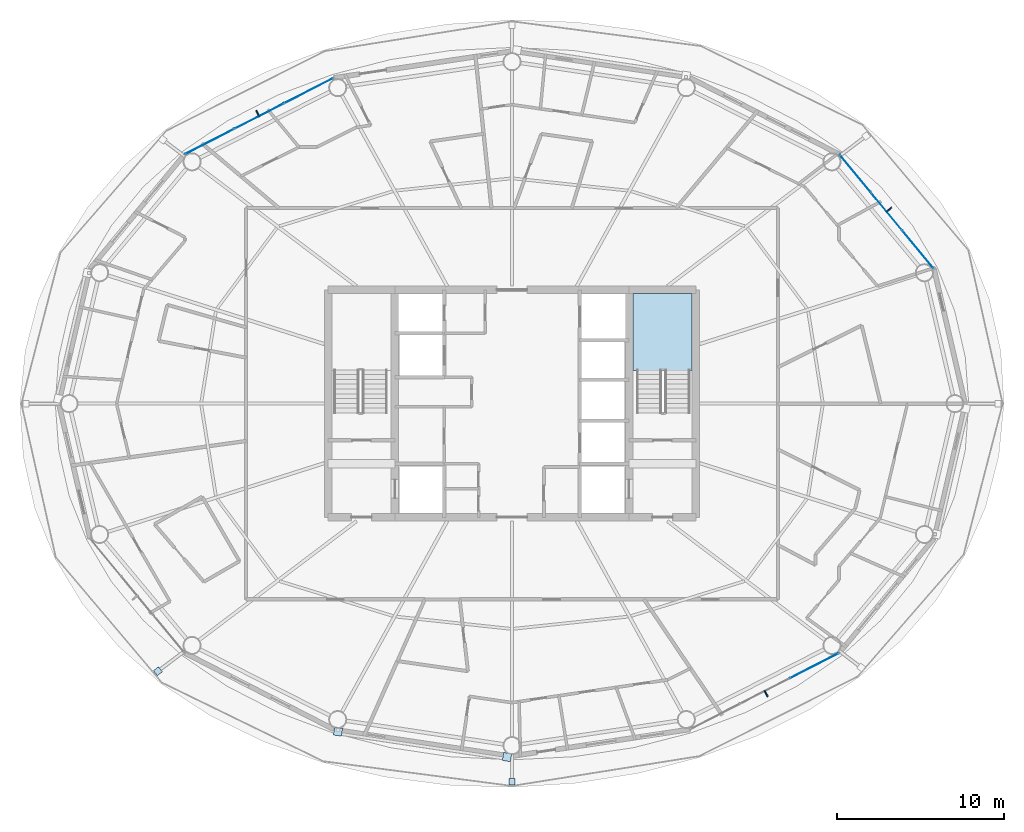
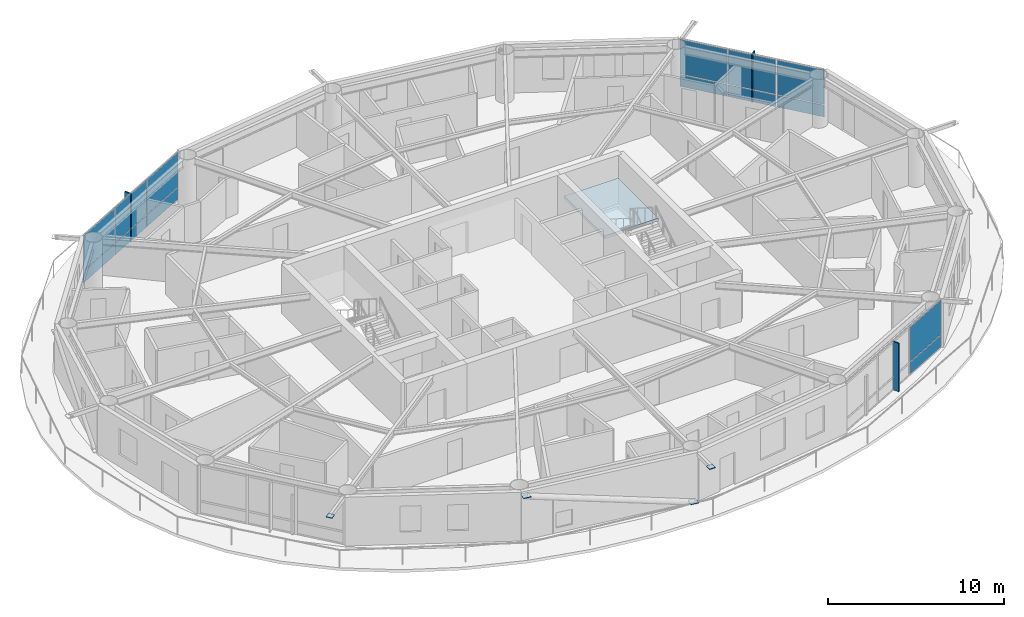
# One storey, part 18 of 28: 21 plates, 1 slab, 4 elements without a shape of their own.
"""IFC4 building model written with IfcOpenShell, lengths in metres."""

from ifc_helpers import new_model, si_unit, direction, frame, origin, origin_2d, place, context, subcontext, project, spatial, polyline, rectangle, outline, extrude, material, layer, layer_set, type_object, element, aggregate, save


model = new_model("IFC4")

# Units and contexts
model_context = context("Model", 3, precision=1e-05, world=origin(), true_north=direction((0.0, 1.0)))
body_context = subcontext(model_context, "Body", "Model", "MODEL_VIEW")
ifc_project = project(units=[si_unit("LENGTHUNIT", "METRE"), si_unit("AREAUNIT", "SQUARE_METRE"), si_unit("VOLUMEUNIT", "CUBIC_METRE"), si_unit("PLANEANGLEUNIT", "RADIAN"), si_unit("MASSUNIT", "GRAM", prefix="KILO")], contexts=[model_context])

# Site, building, storey
site_placement = place(None, origin())
site = spatial("IfcSite", under=ifc_project, at=site_placement, CompositionType="ELEMENT")
building_placement = place(site_placement, origin())
building = spatial("IfcBuilding", under=site, at=building_placement, Name="Sarneth Arch Tower", CompositionType="ELEMENT")
storey_placement = place(building_placement, frame((0.0, 0.0, 172.199951171875)))
storey = spatial("IfcBuildingStorey", under=building, at=storey_placement, Name="L43", CompositionType="ELEMENT", Elevation=172.199951171875)

# Curtain wall, plates
ifc_material_1 = material(Name="Anodised aluminium Type AA25 and solar-control low-e laminated IGU", Category="aluminium")
ifc_layer_1 = layer(ifc_material_1, 0.169921875)
ifc_layer_set_1 = layer_set([ifc_layer_1], Name="Anodised aluminium Type AA25 and solar-control low-e laminated IGU")
curtain_wall_type = type_object("IfcCurtainWallType", Name="CW-RES-MID", PredefinedType="NOTDEFINED", material=ifc_layer_set_1)
curtain_wall_1_placement = place(storey_placement, origin())
curtain_wall_1 = element("IfcCurtainWall", 1, at=curtain_wall_1_placement, inside=storey, type_object=curtain_wall_type, Name="L43 Unitised curtain wall facet 02", PredefinedType="NOTDEFINED")
ifc_material_2 = material(Name="Solar-control low-e laminated IGU", Category="glass")
ifc_layer_2 = layer(ifc_material_2, 0.028076171875)
ifc_layer_set_2 = layer_set([ifc_layer_2], Name="Solar-control low-e laminated IGU")
plate_type_1 = type_object("IfcPlateType", Name="CW-PANEL", PredefinedType="CURTAIN_PANEL", material=ifc_layer_set_2)
plate_1_placement = place(storey_placement, frame((72.280029296875, 51.21826171875, 0.06005859375), z_axis=(0.0, 0.0, 1.0), x_axis=(-0.637330298558, 0.770590741276, 0.0)))
plate_1 = element("IfcPlate", 2, at=plate_1_placement, type_object=plate_type_1, Name="Curtain wall glazed vision pane CW-L43-F02/P00-00", PredefinedType="CURTAIN_PANEL", context=body_context, shape_type="SweptSolid", body=[
    extrude(rectangle(XDim=2.8681640625, YDim=0.028076171875, at=origin_2d()), origin(), (0.0, 0.0, 1.0), 0.81005859375),
])
plate_2_placement = place(storey_placement, frame((72.280029296875, 51.21826171875, 0.93017578125), z_axis=(0.0, 0.0, 1.0), x_axis=(-0.637330298558, 0.770590741276, 0.0)))
plate_2 = element("IfcPlate", 3, at=plate_2_placement, type_object=plate_type_1, Name="Curtain wall glazed vision pane CW-L43-F02/P00-01", PredefinedType="CURTAIN_PANEL", context=body_context, shape_type="SweptSolid", body=[
    extrude(rectangle(XDim=2.8681640625, YDim=0.028076171875, at=origin_2d()), origin(), (0.0, 0.0, 1.0), 2.389892578125),
])
plate_3_placement = place(storey_placement, frame((70.404296875, 53.486328125, 0.06005859375), z_axis=(0.0, 0.0, 1.0), x_axis=(-0.637330298558, 0.770590741276, 0.0)))
plate_3 = element("IfcPlate", 4, at=plate_3_placement, type_object=plate_type_1, Name="Curtain wall glazed vision pane CW-L43-F02/P01-00", PredefinedType="CURTAIN_PANEL", context=body_context, shape_type="SweptSolid", body=[
    extrude(rectangle(XDim=2.898193359375, YDim=0.028076171875, at=origin_2d()), origin(), (0.0, 0.0, 1.0), 0.81005859375),
])
plate_4_placement = place(storey_placement, frame((70.404296875, 53.486328125, 0.93017578125), z_axis=(0.0, 0.0, 1.0), x_axis=(-0.637330298558, 0.770590741276, 0.0)))
plate_4 = element("IfcPlate", 5, at=plate_4_placement, type_object=plate_type_1, Name="Curtain wall glazed vision pane CW-L43-F02/P01-01", PredefinedType="CURTAIN_PANEL", context=body_context, shape_type="SweptSolid", body=[
    extrude(rectangle(XDim=2.898193359375, YDim=0.028076171875, at=origin_2d()), origin(), (0.0, 0.0, 1.0), 2.389892578125),
])
plate_5_placement = place(storey_placement, frame((68.5283203125, 55.75439453125, 0.06005859375), z_axis=(0.0, 0.0, 1.0), x_axis=(-0.637330298558, 0.770590741276, 0.0)))
plate_5 = element("IfcPlate", 6, at=plate_5_placement, type_object=plate_type_1, Name="Curtain wall glazed vision pane CW-L43-F02/P02-00", PredefinedType="CURTAIN_PANEL", context=body_context, shape_type="SweptSolid", body=[
    extrude(rectangle(XDim=2.8681640625, YDim=0.028076171875, at=origin_2d()), origin(), (0.0, 0.0, 1.0), 0.81005859375),
])
plate_6_placement = place(storey_placement, frame((68.5283203125, 55.75439453125, 0.93017578125), z_axis=(0.0, 0.0, 1.0), x_axis=(-0.637330298558, 0.770590741276, 0.0)))
plate_6 = element("IfcPlate", 7, at=plate_6_placement, type_object=plate_type_1, Name="Curtain wall glazed vision pane CW-L43-F02/P02-01", PredefinedType="CURTAIN_PANEL", context=body_context, shape_type="SweptSolid", body=[
    extrude(rectangle(XDim=2.8681640625, YDim=0.028076171875, at=origin_2d()), origin(), (0.0, 0.0, 1.0), 2.389892578125),
])
aggregate(curtain_wall_1, [plate_1, plate_2, plate_3, plate_4, plate_5, plate_6])

curtain_wall_2_placement = place(storey_placement, origin())
curtain_wall_2 = element("IfcCurtainWall", 8, at=curtain_wall_2_placement, inside=storey, type_object=curtain_wall_type, Name="L43 Unitised curtain wall facet 06", PredefinedType="NOTDEFINED")
plate_7_placement = place(storey_placement, frame((35.83837890625, 60.70703125, 0.06005859375), z_axis=(0.0, 0.0, 1.0), x_axis=(-0.88987293003, -0.456208470329, 0.0)))
plate_7 = element("IfcPlate", 9, at=plate_7_placement, type_object=plate_type_1, Name="Curtain wall glazed vision pane CW-L43-F06/P00-00", PredefinedType="CURTAIN_PANEL", context=body_context, shape_type="SweptSolid", body=[
    extrude(rectangle(XDim=3.248779296875, YDim=0.028076171875, at=origin_2d()), origin(), (0.0, 0.0, 1.0), 0.81005859375),
])
plate_8_placement = place(storey_placement, frame((35.83837890625, 60.70703125, 0.93017578125), z_axis=(0.0, 0.0, 1.0), x_axis=(-0.88987293003, -0.456208470329, 0.0)))
plate_8 = element("IfcPlate", 10, at=plate_8_placement, type_object=plate_type_1, Name="Curtain wall glazed vision pane CW-L43-F06/P00-01", PredefinedType="CURTAIN_PANEL", context=body_context, shape_type="SweptSolid", body=[
    extrude(rectangle(XDim=3.248779296875, YDim=0.028076171875, at=origin_2d()), origin(), (0.0, 0.0, 1.0), 2.389892578125),
])
plate_9_placement = place(storey_placement, frame((32.880615234375, 59.190673828125, 0.06005859375), z_axis=(0.0, 0.0, 1.0), x_axis=(-0.88987293003, -0.456208470329, 0.0)))
plate_9 = element("IfcPlate", 11, at=plate_9_placement, type_object=plate_type_1, Name="Curtain wall glazed vision pane CW-L43-F06/P01-00", PredefinedType="CURTAIN_PANEL", context=body_context, shape_type="SweptSolid", body=[
    extrude(rectangle(XDim=3.27880859375, YDim=0.028076171875, at=origin_2d()), origin(), (0.0, 0.0, 1.0), 0.81005859375),
])
plate_10_placement = place(storey_placement, frame((32.880615234375, 59.190673828125, 0.93017578125), z_axis=(0.0, 0.0, 1.0), x_axis=(-0.88987293003, -0.456208470329, 0.0)))
plate_10 = element("IfcPlate", 12, at=plate_10_placement, type_object=plate_type_1, Name="Curtain wall glazed vision pane CW-L43-F06/P01-01", PredefinedType="CURTAIN_PANEL", context=body_context, shape_type="SweptSolid", body=[
    extrude(rectangle(XDim=3.27880859375, YDim=0.028076171875, at=origin_2d()), origin(), (0.0, 0.0, 1.0), 2.389892578125),
])
plate_11_placement = place(storey_placement, frame((29.9228515625, 57.67431640625, 0.06005859375), z_axis=(0.0, 0.0, 1.0), x_axis=(-0.88987293003, -0.456208470329, 0.0)))
plate_11 = element("IfcPlate", 13, at=plate_11_placement, type_object=plate_type_1, Name="Curtain wall glazed vision pane CW-L43-F06/P02-00", PredefinedType="CURTAIN_PANEL", context=body_context, shape_type="SweptSolid", body=[
    extrude(rectangle(XDim=3.248779296875, YDim=0.028076171875, at=origin_2d()), origin(), (0.0, 0.0, 1.0), 0.81005859375),
])
plate_12_placement = place(storey_placement, frame((29.9228515625, 57.67431640625, 0.93017578125), z_axis=(0.0, 0.0, 1.0), x_axis=(-0.88987293003, -0.456208470329, 0.0)))
plate_12 = element("IfcPlate", 14, at=plate_12_placement, type_object=plate_type_1, Name="Curtain wall glazed vision pane CW-L43-F06/P02-01", PredefinedType="CURTAIN_PANEL", context=body_context, shape_type="SweptSolid", body=[
    extrude(rectangle(XDim=3.248779296875, YDim=0.028076171875, at=origin_2d()), origin(), (0.0, 0.0, 1.0), 2.389892578125),
])
aggregate(curtain_wall_2, [plate_7, plate_8, plate_9, plate_10, plate_11, plate_12])

curtain_wall_3_placement = place(storey_placement, origin())
curtain_wall_3 = element("IfcCurtainWall", 15, at=curtain_wall_3_placement, inside=storey, type_object=curtain_wall_type, Name="L43 Unitised curtain wall facet 14", PredefinedType="NOTDEFINED")
plate_13_placement = place(storey_placement, frame((66.0771484375, 26.32568359375, 0.06005859375), z_axis=(0.0, 0.0, 1.0), x_axis=(0.88987293003, 0.456208470329, 0.0)))
plate_13 = element("IfcPlate", 16, at=plate_13_placement, type_object=plate_type_1, Name="Curtain wall glazed vision pane CW-L43-F14/P02-00", PredefinedType="CURTAIN_PANEL", context=body_context, shape_type="SweptSolid", body=[
    extrude(rectangle(XDim=3.248779296875, YDim=0.028076171875, at=origin_2d()), origin(), (0.0, 0.0, 1.0), 0.81005859375),
])
plate_14_placement = place(storey_placement, frame((66.0771484375, 26.32568359375, 0.93017578125), z_axis=(0.0, 0.0, 1.0), x_axis=(0.88987293003, 0.456208470329, 0.0)))
plate_14 = element("IfcPlate", 17, at=plate_14_placement, type_object=plate_type_1, Name="Curtain wall glazed vision pane CW-L43-F14/P02-01", PredefinedType="CURTAIN_PANEL", context=body_context, shape_type="SweptSolid", body=[
    extrude(rectangle(XDim=3.248779296875, YDim=0.028076171875, at=origin_2d()), origin(), (0.0, 0.0, 1.0), 2.389892578125),
])
aggregate(curtain_wall_3, [plate_13, plate_14])

# Plates
ifc_material_3 = material(Name="Steel S355", Category="steel")
ifc_layer_3 = layer(ifc_material_3, 0.035888671875)
ifc_layer_set_3 = layer_set([ifc_layer_3], Name="Steel S355")
plate_type_2 = type_object("IfcPlateType", Name="PLT-GUSSET-30", PredefinedType="SHEET", material=ifc_layer_set_3)
plate_15_placement = place(storey_placement, frame((26.82470703125, 25.996826171875, 3.2021484375), z_axis=(0.0, 0.0, 1.0), x_axis=(-0.797794439539, -0.602929541689, 0.0)))
element("IfcPlate", 18, at=plate_15_placement, inside=storey, type_object=plate_type_2, Name="Steel end cap plate GP-1", PredefinedType="SHEET", context=body_context, shape_type="SweptSolid", body=[
    extrude(rectangle(XDim=0.3798828125, YDim=0.3798828125, at=origin_2d()), origin(), (0.0, 0.0, 1.0), 0.035888671875),
])
for number, where, z_axis, x_axis, name in (
    (19, (47.703369140625, 20.86474609375, 0.001953125), (0.0, 0.0, 1.0), (0.98883454203, -0.149017611339, 0.0), "Steel end cap plate GP-1"),
    (20, (37.595703125, 22.387451171875, 3.03271484375), (0.0, 0.0, 1.0), (0.98883454203, -0.149017611339, 0.0), "Steel end cap plate GP-1"),
):
    element("IfcPlate", number, at=place(storey_placement, frame(where, z_axis=z_axis, x_axis=x_axis)), inside=storey, type_object=plate_type_2, Name=name, PredefinedType="SHEET", context=body_context, shape_type="SweptSolid", body=[
        extrude(rectangle(XDim=0.486083984375, YDim=0.486083984375, at=origin_2d()), origin(), (0.0, 0.0, 1.0), 0.035888671875),
    ])
plate_16_placement = place(storey_placement, frame((48.0, 19.37939453125, 3.2021484375), z_axis=(0.0, 0.0, 1.0), x_axis=(0.0, -1.0, 0.0)))
element("IfcPlate", 21, at=plate_16_placement, inside=storey, type_object=plate_type_2, Name="Steel end cap plate GP-1", PredefinedType="SHEET", context=body_context, shape_type="SweptSolid", body=[
    extrude(rectangle(XDim=0.3798828125, YDim=0.3798828125, at=origin_2d()), origin(), (0.0, 0.0, 1.0), 0.035888671875),
])
ifc_material_4 = material(Name="Extruded glazed terracotta baguette fin on Aluminium 6063-T6 carrier", Category="masonry")
ifc_layer_4 = layer(ifc_material_4, 0.080078125)
ifc_layer_set_4 = layer_set([ifc_layer_4], Name="Extruded glazed terracotta baguette fin on Aluminium 6063-T6 carrier")
plate_type_3 = type_object("IfcPlateType", Name="SHADE-TERRA-FIN", PredefinedType="SHEET", material=ifc_layer_set_4)
for number, where, z_axis, x_axis, name in (
    (22, (70.53515625, 53.5947265625, 0.009765625), (0.0, 0.0, 1.0), (0.770624482513, 0.637289500111, 0.0), "L43 Terracotta vertical shading fin 02"),
    (23, (32.802978515625, 59.341796875, 0.009765625), (0.0, 0.0, 1.0), (-0.456166281949, 0.889894557357, 0.0), "L43 Terracotta vertical shading fin 06"),
    (24, (63.197021484375, 24.658203125, 0.009765625), (0.0, 0.0, 1.0), (0.456166281949, -0.889894557357, 0.0), "L43 Terracotta vertical shading fin 14"),
):
    element("IfcPlate", number, at=place(storey_placement, frame(where, z_axis=z_axis, x_axis=x_axis)), inside=storey, type_object=plate_type_3, Name=name, PredefinedType="SHEET", context=body_context, shape_type="SweptSolid", body=[
        extrude(rectangle(XDim=0.419921875, YDim=0.080078125, at=origin_2d()), origin(), (0.0, 0.0, 1.0), 3.360107421875),
    ])

# Stair, slab
ifc_material_5 = material(Name="Concrete C50/60", Category="concrete")
stair_type = type_object("IfcStairType", Name="STAIR-CORE-RC", PredefinedType="HALF_TURN_STAIR", material=ifc_material_5)
stair_placement = place(storey_placement, origin())
stair = element("IfcStair", 25, at=stair_placement, inside=storey, type_object=stair_type, Name="L43 Core Exit Stair 2", PredefinedType="HALF_TURN_STAIR")
ifc_material_6 = material(Name="Concrete C50/60", Category="concrete")
ifc_layer_5 = layer(ifc_material_6, 0.199951171875)
ifc_layer_set_5 = layer_set([ifc_layer_5], Name="Concrete C50/60")
slab_type = type_object("IfcSlabType", Name="SLAB-LANDING-200", PredefinedType="LANDING", material=ifc_layer_set_5)
slab_placement = place(storey_placement, frame((0.0, 0.0, 1.60009765625)))
slab = element("IfcSlab", 26, at=slab_placement, type_object=slab_type, Name="ST-2 landing 1", PredefinedType="LANDING", context=body_context, shape_type="SweptSolid", body=[
    extrude(outline(polyline([(55.22509765625, 43.985107421875), (58.77490234375, 43.985107421875), (58.77490234375, 48.574951171875), (55.22509765625, 48.574951171875), (55.22509765625, 43.985107421875)])), origin(), (0.0, 0.0, 1.0), 0.199951171875),
])
aggregate(stair, [slab])

save(model, "model.ifc")
